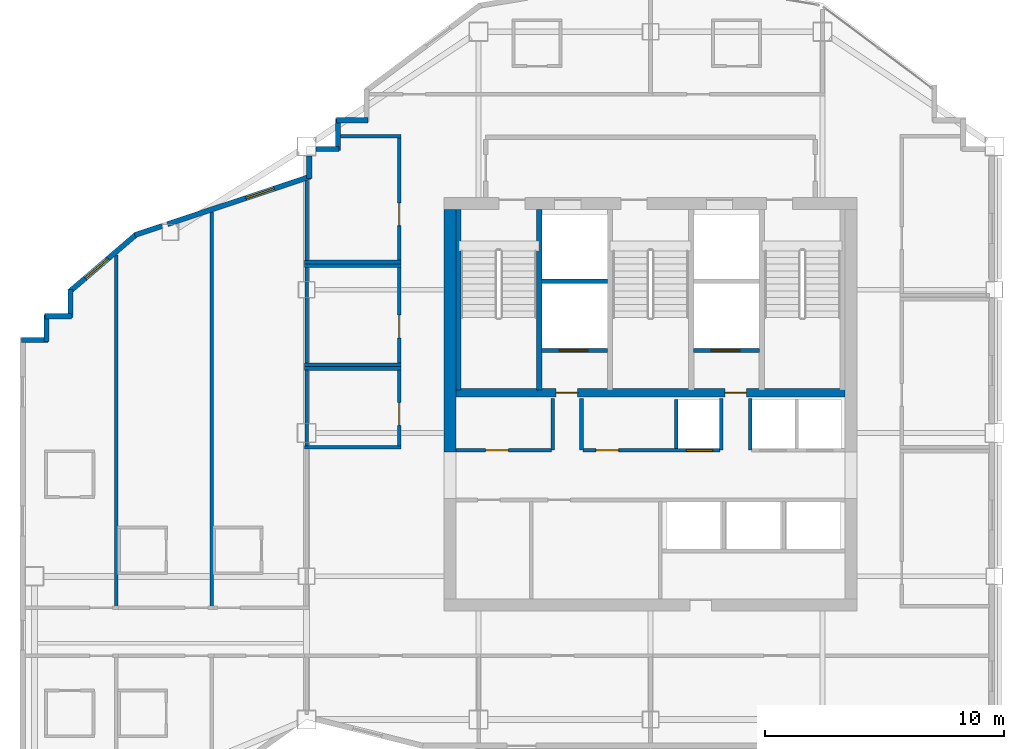
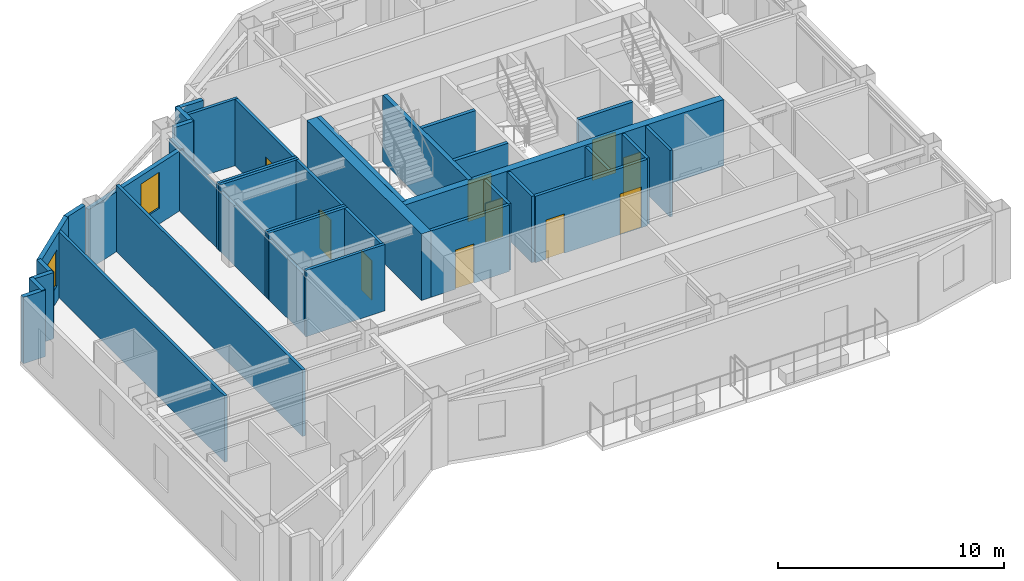
# One storey, part 6 of 9: 39 walls, 10 doors, 2 windows, 12 openings.
"""IFC4 building model written with IfcOpenShell, lengths in metres."""

from ifc_helpers import new_model, si_unit, direction, frame, frame_2d, origin, place, context, subcontext, project, spatial, rectangle, extrude, material, layer, layer_set, type_object, element, fill, save


model = new_model("IFC4")

# Units and contexts
model_context = context("Model", 3, precision=1e-05, world=origin(), true_north=direction((0.0, 1.0)))
body_context = subcontext(model_context, "Body", "Model", "MODEL_VIEW")
ifc_project = project(units=[si_unit("LENGTHUNIT", "METRE"), si_unit("AREAUNIT", "SQUARE_METRE"), si_unit("VOLUMEUNIT", "CUBIC_METRE"), si_unit("PLANEANGLEUNIT", "RADIAN"), si_unit("MASSUNIT", "GRAM", prefix="KILO")], contexts=[model_context])

# Site, building, storey
site_placement = place(None, origin())
site = spatial("IfcSite", under=ifc_project, at=site_placement, CompositionType="ELEMENT")
building_placement = place(site_placement, origin())
building = spatial("IfcBuilding", under=site, at=building_placement, Name="Haolan Belvedere Tower", CompositionType="ELEMENT")
storey_placement = place(building_placement, frame((0.0, 0.0, 273.699951171875)))
storey = spatial("IfcBuildingStorey", under=building, at=storey_placement, Name="L69", CompositionType="ELEMENT", Elevation=273.699951171875)

# Walls
ifc_material_1 = material(Name="Concrete C50/60", Category="concrete")
ifc_layer_1 = layer(ifc_material_1, 0.5, Name="Concrete C50/60")
ifc_layer_set_1 = layer_set([ifc_layer_1], Name="Concrete C50/60")
wall_type_1 = type_object("IfcWallType", Name="WL-CORE-500", PredefinedType="SHEAR", material=ifc_layer_set_1)
wall_1_placement = place(storey_placement, frame((30.0, 32.800048828125, 0.0), z_axis=(0.0, 0.0, 1.0), x_axis=(0.0, 1.0, 0.0)))
element("IfcWall", 1, at=wall_1_placement, inside=storey, type_object=wall_type_1, Name="L69 central core shear wall WN", PredefinedType="SHEAR", context=body_context, shape_type="SweptSolid", body=[
    extrude(rectangle(XDim=10.14990234375, YDim=0.5, at=frame_2d((5.074951171875, 0.0))), origin(), (0.0, 0.0, 1.0), 3.590087890625),
])
ifc_material_2 = material(Name="Precast concrete C40/50", Category="concrete")
ifc_layer_2 = layer(ifc_material_2, 0.219970703125, Name="Precast concrete C40/50")
ifc_layer_set_2 = layer_set([ifc_layer_2], Name="Precast concrete C40/50")
wall_type_2 = type_object("IfcWallType", Name="WL-EXT-220", PredefinedType="SOLIDWALL", material=ifc_layer_set_2)
for number, where, z_axis, x_axis, name in (
    (2, (26.56494140625, 46.68994140625, 0.0), (0.0, 0.0, 1.0), (-1.0, 0.0, 0.0), "L69 pale-metal exterior spandrel wall 13.1"),
    (3, (25.31005859375, 46.7451171875, 0.0), (0.0, 0.0, 1.0), (0.0, -1.0, 0.0), "L69 pale-metal exterior spandrel wall 14.1"),
):
    element("IfcWall", number, at=place(storey_placement, frame(where, z_axis=z_axis, x_axis=x_axis)), inside=storey, type_object=wall_type_2, Name=name, PredefinedType="SOLIDWALL", context=body_context, shape_type="SweptSolid", body=[
        extrude(rectangle(XDim=1.31005859375, YDim=0.219970703125, at=frame_2d((0.655029296875, 0.0))), origin(), (0.0, 0.0, 1.0), 3.590087890625),
    ])
wall_2_placement = place(storey_placement, frame((25.364990234375, 45.489990234375, 0.0), z_axis=(0.0, 0.0, 1.0), x_axis=(-1.0, 0.0, 0.0)))
element("IfcWall", 4, at=wall_2_placement, inside=storey, type_object=wall_type_2, Name="L69 pale-metal exterior spandrel wall 15.1", PredefinedType="SOLIDWALL", context=body_context, shape_type="SweptSolid", body=[
    extrude(rectangle(XDim=0.972900390625, YDim=0.219970703125, at=frame_2d((0.486328125, 0.0))), origin(), (0.0, 0.0, 1.0), 3.590087890625),
])
wall_3_placement = place(storey_placement, frame((24.110107421875, 45.2080078125, 0.0), z_axis=(0.0, 0.0, 1.0), x_axis=(0.0, -1.0, 0.0)))
element("IfcWall", 5, at=wall_3_placement, inside=storey, type_object=wall_type_2, Name="L69 pale-metal exterior spandrel wall 16.1", PredefinedType="SOLIDWALL", context=body_context, shape_type="SweptSolid", body=[
    extrude(rectangle(XDim=0.9423828125, YDim=0.219970703125, at=frame_2d((0.47119140625, 0.0))), origin(), (0.0, 0.0, 1.0), 3.235107421875),
])

# Wall, opening, window
wall_4_placement = place(storey_placement, frame((24.162109375, 44.338134765625, 0.0), z_axis=(0.0, 0.0, 1.0), x_axis=(-0.948687165594, -0.31621616315, 0.0)))
wall_4 = element("IfcWall", 6, at=wall_4_placement, inside=storey, type_object=wall_type_2, Name="L69 pale-metal exterior spandrel wall 17.1", PredefinedType="SOLIDWALL", context=body_context, shape_type="SweptSolid", body=[
    extrude(rectangle(XDim=6.3125, YDim=0.219970703125, at=frame_2d((3.15625, 0.0))), origin(), (0.0, 0.0, 1.0), 3.235107421875),
])
opening_1_placement = place(wall_4_placement, frame((1.60009765625, 0.0, 0.85009765625)))
opening_1 = element("IfcOpeningElement", 7, at=opening_1_placement, cuts=wall_4, Name="Opening W-04", PredefinedType="OPENING", context=body_context, shape_type="SweptSolid", body=[
    extrude(rectangle(XDim=1.25, YDim=1.949951171875, at=frame_2d((0.625, 0.97509765625))), frame((0.0, 0.119873046875, 0.0), z_axis=(0.0, -1.0, 0.0), x_axis=(1.0, 0.0, 0.0)), (0.0, 0.0, 1.0), 0.239990234375),
])
ifc_material_3 = material(Name="Anodised aluminium 6063-T6 and Low-E glass", Category="aluminium")
window_type = type_object("IfcWindowType", Name="WN-DECO-Z4", PartitioningType="SINGLE_PANEL", PredefinedType="WINDOW", material=ifc_material_3)
window_1_placement = place(opening_1_placement, origin())
window_1 = element("IfcWindow", 8, at=window_1_placement, inside=storey, type_object=window_type, Name="L69 Art Deco chevron window 1", OverallHeight=1.949951171875, OverallWidth=1.25, PartitioningType="SINGLE_PANEL", PredefinedType="WINDOW", context=body_context, shape_type="SweptSolid", body=[
    extrude(rectangle(XDim=1.25, YDim=1.949951171875, at=frame_2d((0.625, 0.97509765625))), frame((0.0, 0.030029296875, 0.0), z_axis=(0.0, -1.0, 0.0), x_axis=(1.0, 0.0, 0.0)), (0.0, 0.0, 1.0), 0.06005859375),
])
fill(opening_1, window_1)

# Wall
wall_5_placement = place(storey_placement, frame((17.9580078125, 42.27001953125, 0.0), z_axis=(0.0, 0.0, 1.0), x_axis=(-0.948683298051, -0.316227766017, 0.0)))
element("IfcWall", 9, at=wall_5_placement, inside=storey, type_object=wall_type_2, Name="L69 pale-metal exterior spandrel wall 17.2", PredefinedType="SOLIDWALL", context=body_context, shape_type="SweptSolid", body=[
    extrude(rectangle(XDim=1.217529296875, YDim=0.219970703125, at=frame_2d((0.60888671875, 0.0))), origin(), (0.0, 0.0, 1.0), 3.590087890625),
])

# Wall, opening, window
wall_6_placement = place(storey_placement, frame((16.89697265625, 41.938232421875, 0.0), z_axis=(0.0, 0.0, 1.0), x_axis=(-0.759279729622, -0.650764390686, 0.0)))
wall_6 = element("IfcWall", 10, at=wall_6_placement, inside=storey, type_object=wall_type_2, Name="L69 pale-metal exterior spandrel wall 18.1", PredefinedType="SOLIDWALL", context=body_context, shape_type="SweptSolid", body=[
    extrude(rectangle(XDim=3.725830078125, YDim=0.219970703125, at=frame_2d((1.86279296875, 0.0))), origin(), (0.0, 0.0, 1.0), 3.590087890625),
])
opening_2_placement = place(wall_6_placement, frame((1.60009765625, 0.0, 0.85009765625)))
opening_2 = element("IfcOpeningElement", 11, at=opening_2_placement, cuts=wall_6, Name="Opening W-04", PredefinedType="OPENING", context=body_context, shape_type="SweptSolid", body=[
    extrude(rectangle(XDim=1.25, YDim=1.949951171875, at=frame_2d((0.625, 0.97509765625))), frame((0.0, 0.119873046875, 0.0), z_axis=(0.0, -1.0, 0.0), x_axis=(1.0, 0.0, 0.0)), (0.0, 0.0, 1.0), 0.239990234375),
])
window_2_placement = place(opening_2_placement, origin())
window_2 = element("IfcWindow", 12, at=window_2_placement, inside=storey, type_object=window_type, Name="L69 Art Deco chevron window 1", OverallHeight=1.949951171875, OverallWidth=1.25, PartitioningType="SINGLE_PANEL", PredefinedType="WINDOW", context=body_context, shape_type="SweptSolid", body=[
    extrude(rectangle(XDim=1.25, YDim=1.949951171875, at=frame_2d((0.625, 0.97509765625))), frame((0.0, 0.030029296875, 0.0), z_axis=(0.0, -1.0, 0.0), x_axis=(1.0, 0.0, 0.0)), (0.0, 0.0, 1.0), 0.06005859375),
])
fill(opening_2, window_2)

# Walls
wall_7_placement = place(storey_placement, frame((14.110107421875, 39.6044921875, 0.0), z_axis=(0.0, 0.0, 1.0), x_axis=(0.0, -1.0, 0.0)))
element("IfcWall", 13, at=wall_7_placement, inside=storey, type_object=wall_type_2, Name="L69 pale-metal exterior spandrel wall 19.1", PredefinedType="SOLIDWALL", context=body_context, shape_type="SweptSolid", body=[
    extrude(rectangle(XDim=1.16943359375, YDim=0.219970703125, at=frame_2d((0.584716796875, 0.0))), origin(), (0.0, 0.0, 1.0), 3.590087890625),
])
wall_8_placement = place(storey_placement, frame((14.1650390625, 38.489990234375, 0.0), z_axis=(0.0, 0.0, 1.0), x_axis=(-1.0, 0.0, 0.0)))
element("IfcWall", 14, at=wall_8_placement, inside=storey, type_object=wall_type_2, Name="L69 pale-metal exterior spandrel wall 20.1", PredefinedType="SOLIDWALL", context=body_context, shape_type="SweptSolid", body=[
    extrude(rectangle(XDim=1.110107421875, YDim=0.219970703125, at=frame_2d((0.55517578125, 0.0))), origin(), (0.0, 0.0, 1.0), 3.590087890625),
])
wall_9_placement = place(storey_placement, frame((13.110107421875, 38.544921875, 0.0), z_axis=(0.0, 0.0, 1.0), x_axis=(0.0, -1.0, 0.0)))
element("IfcWall", 15, at=wall_9_placement, inside=storey, type_object=wall_type_2, Name="L69 pale-metal exterior spandrel wall 21.1", PredefinedType="SOLIDWALL", context=body_context, shape_type="SweptSolid", body=[
    extrude(rectangle(XDim=1.10986328125, YDim=0.219970703125, at=frame_2d((0.554931640625, 0.0))), origin(), (0.0, 0.0, 1.0), 3.590087890625),
])
wall_10_placement = place(storey_placement, frame((13.1650390625, 37.489990234375, 0.0), z_axis=(0.0, 0.0, 1.0), x_axis=(-1.0, 0.0, 0.0)))
element("IfcWall", 16, at=wall_10_placement, inside=storey, type_object=wall_type_2, Name="L69 pale-metal exterior spandrel wall 22.1", PredefinedType="SOLIDWALL", context=body_context, shape_type="SweptSolid", body=[
    extrude(rectangle(XDim=1.110107421875, YDim=0.219970703125, at=frame_2d((0.55517578125, 0.0))), origin(), (0.0, 0.0, 1.0), 3.590087890625),
])
ifc_material_4 = material(Name="Double gypsum acoustic stud partition", Category="masonry")
ifc_layer_3 = layer(ifc_material_4, 0.14990234375, Name="Double gypsum acoustic stud partition")
ifc_layer_set_3 = layer_set([ifc_layer_3], Name="Double gypsum acoustic stud partition")
wall_type_3 = type_object("IfcWallType", Name="WL-PART-150", PredefinedType="PARTITIONING", material=ifc_layer_set_3)
for number, where, z_axis, x_axis, name in (
    (17, (23.919921875, 36.300048828125, 0.0), (0.0, 0.0, 1.0), (1.0, 0.0, 0.0), "L69 interior partition IW-L69-AWC-N"),
    (18, (23.919921875, 33.0, 0.0), (0.0, 0.0, 1.0), (1.0, 0.0, 0.0), "L69 interior partition IW-L69-AWC-S"),
):
    element("IfcWall", number, at=place(storey_placement, frame(where, z_axis=z_axis, x_axis=x_axis)), inside=storey, type_object=wall_type_3, Name=name, PredefinedType="PARTITIONING", context=body_context, shape_type="SweptSolid", body=[
        extrude(rectangle(XDim=4.0400390625, YDim=0.14990234375, at=frame_2d((2.02001953125, 0.0))), origin(), (0.0, 0.0, 1.0), 3.590087890625),
    ])
wall_11_placement = place(storey_placement, frame((24.0, 33.06005859375, 0.0), z_axis=(0.0, 0.0, 1.0), x_axis=(0.0, 1.0, 0.0)))
element("IfcWall", 19, at=wall_11_placement, inside=storey, type_object=wall_type_3, Name="L69 interior partition IW-L69-AWC-W", PredefinedType="PARTITIONING", context=body_context, shape_type="SweptSolid", body=[
    extrude(rectangle(XDim=3.179931640625, YDim=0.14990234375, at=frame_2d((1.58984375, 0.0))), origin(), (0.0, 0.0, 1.0), 3.235107421875),
])

# Wall, opening, door
wall_12_placement = place(storey_placement, frame((27.8798828125, 33.06005859375, 0.0), z_axis=(0.0, 0.0, 1.0), x_axis=(0.0, 1.0, 0.0)))
wall_12 = element("IfcWall", 20, at=wall_12_placement, inside=storey, type_object=wall_type_3, Name="L69 interior partition IW-L69-AWC-E", PredefinedType="PARTITIONING", context=body_context, shape_type="SweptSolid", body=[
    extrude(rectangle(XDim=3.179931640625, YDim=0.14990234375, at=frame_2d((1.58984375, 0.0))), origin(), (0.0, 0.0, 1.0), 3.590087890625),
])
opening_3_placement = place(wall_12_placement, frame((1.81005859375, 0.0, 0.0), z_axis=(0.0, 0.0, 1.0), x_axis=(-1.0, 0.0, 0.0)))
opening_3 = element("IfcOpeningElement", 21, at=opening_3_placement, cuts=wall_12, Name="Opening ID-03", PredefinedType="OPENING", context=body_context, shape_type="SweptSolid", body=[
    extrude(rectangle(XDim=0.949951171875, YDim=2.1201171875, at=frame_2d((0.47509765625, 1.06005859375))), frame((0.0, 0.0849609375, 0.0), z_axis=(0.0, -1.0, 0.0), x_axis=(1.0, 0.0, 0.0)), (0.0, 0.0, 1.0), 0.169921875),
])
ifc_material_5 = material(Name="Painted solid-core timber", Category="wood")
door_type_1 = type_object("IfcDoorType", Name="DR-INT-950", OperationType="NOTDEFINED", PredefinedType="DOOR", material=ifc_material_5)
door_1_placement = place(opening_3_placement, origin())
door_1 = element("IfcDoor", 22, at=door_1_placement, inside=storey, type_object=door_type_1, Name="L69 door ID-L69-AWC", OperationType="SINGLE_SWING_LEFT", OverallHeight=2.1201171875, OverallWidth=0.949951171875, PredefinedType="DOOR", context=body_context, shape_type="SweptSolid", body=[
    extrude(rectangle(XDim=0.949951171875, YDim=2.1201171875, at=frame_2d((0.47509765625, 1.06005859375))), frame((0.0, 0.02490234375, 0.0), z_axis=(0.0, -1.0, 0.0), x_axis=(1.0, 0.0, 0.0)), (0.0, 0.0, 1.0), 0.050048828125),
])
fill(opening_3, door_1)

# Walls
for number, where, z_axis, x_axis, name in (
    (23, (23.919921875, 40.60009765625, 0.0), (0.0, 0.0, 1.0), (1.0, 0.0, 0.0), "L69 interior partition IW-L69-PNT-N"),
    (24, (23.919921875, 36.4599609375, 0.0), (0.0, 0.0, 1.0), (1.0, 0.0, 0.0), "L69 interior partition IW-L69-PNT-S"),
):
    element("IfcWall", number, at=place(storey_placement, frame(where, z_axis=z_axis, x_axis=x_axis)), inside=storey, type_object=wall_type_3, Name=name, PredefinedType="PARTITIONING", context=body_context, shape_type="SweptSolid", body=[
        extrude(rectangle(XDim=4.0400390625, YDim=0.14990234375, at=frame_2d((2.02001953125, 0.0))), origin(), (0.0, 0.0, 1.0), 3.590087890625),
    ])
wall_13_placement = place(storey_placement, frame((24.0, 36.52001953125, 0.0), z_axis=(0.0, 0.0, 1.0), x_axis=(0.0, 1.0, 0.0)))
element("IfcWall", 25, at=wall_13_placement, inside=storey, type_object=wall_type_3, Name="L69 interior partition IW-L69-PNT-W", PredefinedType="PARTITIONING", context=body_context, shape_type="SweptSolid", body=[
    extrude(rectangle(XDim=4.02001953125, YDim=0.14990234375, at=frame_2d((2.010009765625, 0.0))), origin(), (0.0, 0.0, 1.0), 3.235107421875),
])

# Wall, opening, door
wall_14_placement = place(storey_placement, frame((27.8798828125, 36.52001953125, 0.0), z_axis=(0.0, 0.0, 1.0), x_axis=(0.0, 1.0, 0.0)))
wall_14 = element("IfcWall", 26, at=wall_14_placement, inside=storey, type_object=wall_type_3, Name="L69 interior partition IW-L69-PNT-E", PredefinedType="PARTITIONING", context=body_context, shape_type="SweptSolid", body=[
    extrude(rectangle(XDim=4.02001953125, YDim=0.14990234375, at=frame_2d((2.010009765625, 0.0))), origin(), (0.0, 0.0, 1.0), 3.590087890625),
])
opening_4_placement = place(wall_14_placement, frame((2.010009765625, 0.0, 0.0), z_axis=(0.0, 0.0, 1.0), x_axis=(-1.0, 0.0, 0.0)))
opening_4 = element("IfcOpeningElement", 27, at=opening_4_placement, cuts=wall_14, Name="Opening ID-03", PredefinedType="OPENING", context=body_context, shape_type="SweptSolid", body=[
    extrude(rectangle(XDim=0.949951171875, YDim=2.1201171875, at=frame_2d((0.47509765625, 1.06005859375))), frame((0.0, 0.0849609375, 0.0), z_axis=(0.0, -1.0, 0.0), x_axis=(1.0, 0.0, 0.0)), (0.0, 0.0, 1.0), 0.169921875),
])
door_2_placement = place(opening_4_placement, origin())
door_2 = element("IfcDoor", 28, at=door_2_placement, inside=storey, type_object=door_type_1, Name="L69 door ID-L69-PNT", OperationType="SINGLE_SWING_RIGHT", OverallHeight=2.1201171875, OverallWidth=0.949951171875, PredefinedType="DOOR", context=body_context, shape_type="SweptSolid", body=[
    extrude(rectangle(XDim=0.949951171875, YDim=2.1201171875, at=frame_2d((0.47509765625, 1.06005859375))), frame((0.0, 0.02490234375, 0.0), z_axis=(0.0, -1.0, 0.0), x_axis=(1.0, 0.0, 0.0)), (0.0, 0.0, 1.0), 0.050048828125),
])
fill(opening_4, door_2)

# Walls
wall_15_placement = place(storey_placement, frame((25.412109375, 46.02001953125, 0.0), z_axis=(0.0, 0.0, 1.0), x_axis=(1.0, 0.0, 0.0)))
element("IfcWall", 29, at=wall_15_placement, inside=storey, type_object=wall_type_3, Name="L69 interior partition IW-L69-STY-N", PredefinedType="PARTITIONING", context=body_context, shape_type="SweptSolid", body=[
    extrude(rectangle(XDim=2.5478515625, YDim=0.14990234375, at=frame_2d((1.27392578125, 0.0))), origin(), (0.0, 0.0, 1.0), 3.590087890625),
])
wall_16_placement = place(storey_placement, frame((23.919921875, 40.760009765625, 0.0), z_axis=(0.0, 0.0, 1.0), x_axis=(1.0, 0.0, 0.0)))
element("IfcWall", 30, at=wall_16_placement, inside=storey, type_object=wall_type_3, Name="L69 interior partition IW-L69-STY-S", PredefinedType="PARTITIONING", context=body_context, shape_type="SweptSolid", body=[
    extrude(rectangle(XDim=4.0400390625, YDim=0.14990234375, at=frame_2d((2.02001953125, 0.0))), origin(), (0.0, 0.0, 1.0), 3.590087890625),
])
wall_17_placement = place(storey_placement, frame((24.0, 40.820068359375, 0.0), z_axis=(0.0, 0.0, 1.0), x_axis=(0.0, 1.0, 0.0)))
element("IfcWall", 31, at=wall_17_placement, inside=storey, type_object=wall_type_3, Name="L69 interior partition IW-L69-STY-W", PredefinedType="PARTITIONING", context=body_context, shape_type="SweptSolid", body=[
    extrude(rectangle(XDim=3.3564453125, YDim=0.14990234375, at=frame_2d((1.67822265625, 0.0))), origin(), (0.0, 0.0, 1.0), 3.235107421875),
])

# Wall, opening, door
wall_18_placement = place(storey_placement, frame((27.8798828125, 40.820068359375, 0.0), z_axis=(0.0, 0.0, 1.0), x_axis=(0.0, 1.0, 0.0)))
wall_18 = element("IfcWall", 32, at=wall_18_placement, inside=storey, type_object=wall_type_3, Name="L69 interior partition IW-L69-STY-E", PredefinedType="PARTITIONING", context=body_context, shape_type="SweptSolid", body=[
    extrude(rectangle(XDim=5.139892578125, YDim=0.14990234375, at=frame_2d((2.56982421875, 0.0))), origin(), (0.0, 0.0, 1.0), 3.590087890625),
])
opening_5_placement = place(wall_18_placement, frame((2.409912109375, 0.0, 0.0), z_axis=(0.0, 0.0, 1.0), x_axis=(-1.0, 0.0, 0.0)))
opening_5 = element("IfcOpeningElement", 33, at=opening_5_placement, cuts=wall_18, Name="Opening ID-03", PredefinedType="OPENING", context=body_context, shape_type="SweptSolid", body=[
    extrude(rectangle(XDim=0.949951171875, YDim=2.1201171875, at=frame_2d((0.47509765625, 1.06005859375))), frame((0.0, 0.0849609375, 0.0), z_axis=(0.0, -1.0, 0.0), x_axis=(1.0, 0.0, 0.0)), (0.0, 0.0, 1.0), 0.169921875),
])
door_3_placement = place(opening_5_placement, origin())
door_3 = element("IfcDoor", 34, at=door_3_placement, inside=storey, type_object=door_type_1, Name="L69 door ID-L69-STY", OperationType="SINGLE_SWING_LEFT", OverallHeight=2.1201171875, OverallWidth=0.949951171875, PredefinedType="DOOR", context=body_context, shape_type="SweptSolid", body=[
    extrude(rectangle(XDim=0.949951171875, YDim=2.1201171875, at=frame_2d((0.47509765625, 1.06005859375))), frame((0.0, 0.02490234375, 0.0), z_axis=(0.0, -1.0, 0.0), x_axis=(1.0, 0.0, 0.0)), (0.0, 0.0, 1.0), 0.050048828125),
])
fill(opening_5, door_3)

# Walls
wall_19_placement = place(storey_placement, frame((16.030029296875, 26.340087890625, 0.0), z_axis=(0.0, 0.0, 1.0), x_axis=(0.0, 1.0, 0.0)))
element("IfcWall", 35, at=wall_19_placement, inside=storey, type_object=wall_type_3, Name="L69 interior partition IW-L69-T2N1-E", PredefinedType="PARTITIONING", context=body_context, shape_type="SweptSolid", body=[
    extrude(rectangle(XDim=14.720703125, YDim=0.14990234375, at=frame_2d((7.3603515625, 0.0))), origin(), (0.0, 0.0, 1.0), 3.590087890625),
])
wall_20_placement = place(storey_placement, frame((20.02001953125, 26.340087890625, 0.0), z_axis=(0.0, 0.0, 1.0), x_axis=(0.0, 1.0, 0.0)))
element("IfcWall", 36, at=wall_20_placement, inside=storey, type_object=wall_type_3, Name="L69 interior partition IW-L69-T2N2-E", PredefinedType="PARTITIONING", context=body_context, shape_type="SweptSolid", body=[
    extrude(rectangle(XDim=16.509765625, YDim=0.14990234375, at=frame_2d((8.2548828125, 0.0))), origin(), (0.0, 0.0, 1.0), 3.590087890625),
])
ifc_material_6 = material(Name="Gypsum fire shaftwall assembly", Category="masonry")
ifc_layer_4 = layer(ifc_material_6, 0.1650390625, Name="Gypsum fire shaftwall assembly")
ifc_layer_set_4 = layer_set([ifc_layer_4], Name="Gypsum fire shaftwall assembly")
wall_type_4 = type_object("IfcWallType", Name="WL-SHAFT-160", PredefinedType="SOLIDWALL", material=ifc_layer_set_4)
for number, where, z_axis, x_axis, name in (
    (37, (34.31005859375, 32.8798828125, 0.0), (0.0, 0.0, 1.0), (0.0, 1.0, 0.0), "L69 interior partition IW-L69-SVP-W-SV1"),
    (38, (35.510009765625, 32.8798828125, 0.0), (0.0, 0.0, 1.0), (0.0, 1.0, 0.0), "L69 interior partition IW-L69-SVP-E-SV1"),
    (39, (41.3701171875, 32.8798828125, 0.0), (0.0, 0.0, 1.0), (0.0, 1.0, 0.0), "L69 interior partition IW-L69-SVP-W-SV2"),
    (40, (42.570068359375, 32.8798828125, 0.0), (0.0, 0.0, 1.0), (0.0, 1.0, 0.0), "L69 interior partition IW-L69-SVP-E-SV2"),
):
    element("IfcWall", number, at=place(storey_placement, frame(where, z_axis=z_axis, x_axis=x_axis)), inside=storey, type_object=wall_type_4, Name=name, PredefinedType="SOLIDWALL", context=body_context, shape_type="SweptSolid", body=[
        extrude(rectangle(XDim=2.170166015625, YDim=0.14990234375, at=frame_2d((1.0849609375, 0.0))), origin(), (0.0, 0.0, 1.0), 3.590087890625),
    ])

# Wall, opening, door
wall_21_placement = place(storey_placement, frame((30.25, 32.8798828125, 0.0), z_axis=(0.0, 0.0, 1.0), x_axis=(1.0, 0.0, 0.0)))
wall_21 = element("IfcWall", 41, at=wall_21_placement, inside=storey, type_object=wall_type_4, Name="L69 interior partition IW-L69-ROW-PN1", PredefinedType="SOLIDWALL", context=body_context, shape_type="SweptSolid", body=[
    extrude(rectangle(XDim=4.0, YDim=0.159912109375, at=frame_2d((2.0, 0.0))), origin(), (0.0, 0.0, 1.0), 3.590087890625),
])
opening_6_placement = place(wall_21_placement, frame((2.199951171875, 0.0, 0.0), z_axis=(0.0, 0.0, 1.0), x_axis=(-1.0, 0.0, 0.0)))
opening_6 = element("IfcOpeningElement", 42, at=opening_6_placement, cuts=wall_21, Name="Opening ID-03", PredefinedType="OPENING", context=body_context, shape_type="SweptSolid", body=[
    extrude(rectangle(XDim=0.949951171875, YDim=2.1201171875, at=frame_2d((0.47509765625, 1.06005859375))), frame((0.0, 0.08984375, 0.0), z_axis=(0.0, -1.0, 0.0), x_axis=(1.0, 0.0, 0.0)), (0.0, 0.0, 1.0), 0.179931640625),
])
door_4_placement = place(opening_6_placement, origin())
door_4 = element("IfcDoor", 43, at=door_4_placement, inside=storey, type_object=door_type_1, Name="L69 door ID-L69-CD-RPLW", OperationType="SINGLE_SWING_LEFT", OverallHeight=2.1201171875, OverallWidth=0.949951171875, PredefinedType="DOOR", context=body_context, shape_type="SweptSolid", body=[
    extrude(rectangle(XDim=0.949951171875, YDim=2.1201171875, at=frame_2d((0.47509765625, 1.06005859375))), frame((0.0, 0.02490234375, 0.0), z_axis=(0.0, -1.0, 0.0), x_axis=(1.0, 0.0, 0.0)), (0.0, 0.0, 1.0), 0.050048828125),
])
fill(opening_6, door_4)

# Wall, openings, doors
wall_22_placement = place(storey_placement, frame((35.570068359375, 32.8798828125, 0.0), z_axis=(0.0, 0.0, 1.0), x_axis=(1.0, 0.0, 0.0)))
wall_22 = element("IfcWall", 44, at=wall_22_placement, inside=storey, type_object=wall_type_4, Name="L69 interior partition IW-L69-ROW-PN2", PredefinedType="SOLIDWALL", context=body_context, shape_type="SweptSolid", body=[
    extrude(rectangle(XDim=5.739990234375, YDim=0.159912109375, at=frame_2d((2.8701171875, 0.0))), origin(), (0.0, 0.0, 1.0), 3.590087890625),
])
opening_7_placement = place(wall_22_placement, frame((1.489990234375, 0.0, 0.0), z_axis=(0.0, 0.0, 1.0), x_axis=(-1.0, 0.0, 0.0)))
opening_7 = element("IfcOpeningElement", 45, at=opening_7_placement, cuts=wall_22, Name="Opening ID-03", PredefinedType="OPENING", context=body_context, shape_type="SweptSolid", body=[
    extrude(rectangle(XDim=0.949951171875, YDim=2.1201171875, at=frame_2d((0.47509765625, 1.06005859375))), frame((0.0, 0.08984375, 0.0), z_axis=(0.0, -1.0, 0.0), x_axis=(1.0, 0.0, 0.0)), (0.0, 0.0, 1.0), 0.179931640625),
])
opening_8_placement = place(wall_22_placement, frame((5.43017578125, 0.0, 0.0), z_axis=(0.0, 0.0, 1.0), x_axis=(-1.0, 0.0, 0.0)))
opening_8 = element("IfcOpeningElement", 46, at=opening_8_placement, cuts=wall_22, Name="Opening LD-01", PredefinedType="OPENING", context=body_context, shape_type="SweptSolid", body=[
    extrude(rectangle(XDim=1.10009765625, YDim=2.199951171875, at=frame_2d((0.550048828125, 1.10009765625))), frame((0.0, 0.08984375, 0.0), z_axis=(0.0, -1.0, 0.0), x_axis=(1.0, 0.0, 0.0)), (0.0, 0.0, 1.0), 0.179931640625),
])
door_5_placement = place(opening_7_placement, origin())
door_5 = element("IfcDoor", 47, at=door_5_placement, inside=storey, type_object=door_type_1, Name="L69 door ID-L69-CD-RPLE", OperationType="SINGLE_SWING_RIGHT", OverallHeight=2.1201171875, OverallWidth=0.949951171875, PredefinedType="DOOR", context=body_context, shape_type="SweptSolid", body=[
    extrude(rectangle(XDim=0.949951171875, YDim=2.1201171875, at=frame_2d((0.47509765625, 1.06005859375))), frame((0.0, 0.02490234375, 0.0), z_axis=(0.0, -1.0, 0.0), x_axis=(1.0, 0.0, 0.0)), (0.0, 0.0, 1.0), 0.050048828125),
])
fill(opening_7, door_5)
ifc_material_7 = material(Name="Brushed champagne stainless steel 316L", Category="steel")
door_type_2 = type_object("IfcDoorType", Name="DR-LIFT-1100", OperationType="SLIDING_TO_LEFT", PredefinedType="DOOR", material=ifc_material_7)
door_6_placement = place(opening_8_placement, origin())
door_6 = element("IfcDoor", 48, at=door_6_placement, inside=storey, type_object=door_type_2, Name="L69 door ID-L69-LD-PH1", OperationType="SLIDING_TO_RIGHT", OverallHeight=2.199951171875, OverallWidth=1.10009765625, PredefinedType="DOOR", context=body_context, shape_type="SweptSolid", body=[
    extrude(rectangle(XDim=1.10009765625, YDim=2.199951171875, at=frame_2d((0.550048828125, 1.10009765625))), frame((0.0, 0.02490234375, 0.0), z_axis=(0.0, -1.0, 0.0), x_axis=(1.0, 0.0, 0.0)), (0.0, 0.0, 1.0), 0.050048828125),
])
fill(opening_8, door_6)

# Walls
wall_23_placement = place(storey_placement, frame((39.469970703125, 32.949951171875, 0.0), z_axis=(0.0, 0.0, 1.0), x_axis=(0.0, 1.0, 0.0)))
element("IfcWall", 49, at=wall_23_placement, inside=storey, type_object=wall_type_4, Name="L69 interior partition IW-L69-DIV-PL4R", PredefinedType="SOLIDWALL", context=body_context, shape_type="SweptSolid", body=[
    extrude(rectangle(XDim=2.050048828125, YDim=0.14990234375, at=frame_2d((1.02490234375, 0.0))), origin(), (0.0, 0.0, 1.0), 3.590087890625),
])
ifc_layer_5 = layer(ifc_material_2, 0.179931640625, Name="Precast concrete C40/50")
ifc_layer_set_5 = layer_set([ifc_layer_5], Name="Precast concrete C40/50")
wall_type_5 = type_object("IfcWallType", Name="WL-SHAFT-180", PredefinedType="SOLIDWALL", material=ifc_layer_set_5)
wall_24_placement = place(storey_placement, frame((33.8349609375, 39.949951171875, 0.0), z_axis=(0.0, 0.0, 1.0), x_axis=(1.0, 0.0, 0.0)))
element("IfcWall", 50, at=wall_24_placement, inside=storey, type_object=wall_type_5, Name="L69 interior partition IW-L69-FF1-S", PredefinedType="SOLIDWALL", context=body_context, shape_type="SweptSolid", body=[
    extrude(rectangle(XDim=2.77001953125, YDim=0.179931640625, at=frame_2d((1.385009765625, 0.0))), origin(), (0.0, 0.0, 1.0), 3.590087890625),
])

# Wall, opening, door
wall_25_placement = place(storey_placement, frame((33.8349609375, 37.050048828125, 0.0), z_axis=(0.0, 0.0, 1.0), x_axis=(1.0, 0.0, 0.0)))
wall_25 = element("IfcWall", 51, at=wall_25_placement, inside=storey, type_object=wall_type_5, Name="L69 interior partition IW-L69-SV1-S", PredefinedType="SOLIDWALL", context=body_context, shape_type="SweptSolid", body=[
    extrude(rectangle(XDim=2.77001953125, YDim=0.179931640625, at=frame_2d((1.385009765625, 0.0))), origin(), (0.0, 0.0, 1.0), 3.590087890625),
])
opening_9_placement = place(wall_25_placement, frame((1.945068359375, 0.0, 0.0), z_axis=(0.0, 0.0, 1.0), x_axis=(-1.0, 0.0, 0.0)))
opening_9 = element("IfcOpeningElement", 52, at=opening_9_placement, cuts=wall_25, Name="Opening LD-02", PredefinedType="OPENING", context=body_context, shape_type="SweptSolid", body=[
    extrude(rectangle(XDim=1.199951171875, YDim=2.199951171875, at=frame_2d((0.60009765625, 1.10009765625))), frame((0.0, 0.099853515625, 0.0), z_axis=(0.0, -1.0, 0.0), x_axis=(1.0, 0.0, 0.0)), (0.0, 0.0, 1.0), 0.199951171875),
])
door_type_3 = type_object("IfcDoorType", Name="DR-LIFT-1200", OperationType="SLIDING_TO_RIGHT", PredefinedType="DOOR", material=ifc_material_7)
door_7_placement = place(opening_9_placement, origin())
door_7 = element("IfcDoor", 53, at=door_7_placement, inside=storey, type_object=door_type_3, Name="L69 door ID-L69-LD-SV1", OperationType="SLIDING_TO_RIGHT", OverallHeight=2.199951171875, OverallWidth=1.199951171875, PredefinedType="DOOR", context=body_context, shape_type="SweptSolid", body=[
    extrude(rectangle(XDim=1.199951171875, YDim=2.199951171875, at=frame_2d((0.60009765625, 1.10009765625))), frame((0.0, 0.02490234375, 0.0), z_axis=(0.0, -1.0, 0.0), x_axis=(1.0, 0.0, 0.0)), (0.0, 0.0, 1.0), 0.050048828125),
])
fill(opening_9, door_7)

wall_26_placement = place(storey_placement, frame((40.195068359375, 37.050048828125, 0.0), z_axis=(0.0, 0.0, 1.0), x_axis=(1.0, 0.0, 0.0)))
wall_26 = element("IfcWall", 54, at=wall_26_placement, inside=storey, type_object=wall_type_5, Name="L69 interior partition IW-L69-SV2-S", PredefinedType="SOLIDWALL", context=body_context, shape_type="SweptSolid", body=[
    extrude(rectangle(XDim=2.77001953125, YDim=0.179931640625, at=frame_2d((1.385009765625, 0.0))), origin(), (0.0, 0.0, 1.0), 3.590087890625),
])
opening_10_placement = place(wall_26_placement, frame((1.945068359375, 0.0, 0.0), z_axis=(0.0, 0.0, 1.0), x_axis=(-1.0, 0.0, 0.0)))
opening_10 = element("IfcOpeningElement", 55, at=opening_10_placement, cuts=wall_26, Name="Opening LD-02", PredefinedType="OPENING", context=body_context, shape_type="SweptSolid", body=[
    extrude(rectangle(XDim=1.199951171875, YDim=2.199951171875, at=frame_2d((0.60009765625, 1.10009765625))), frame((0.0, 0.099853515625, 0.0), z_axis=(0.0, -1.0, 0.0), x_axis=(1.0, 0.0, 0.0)), (0.0, 0.0, 1.0), 0.199951171875),
])
door_8_placement = place(opening_10_placement, origin())
door_8 = element("IfcDoor", 56, at=door_8_placement, inside=storey, type_object=door_type_3, Name="L69 door ID-L69-LD-SV2", OperationType="SLIDING_TO_RIGHT", OverallHeight=2.199951171875, OverallWidth=1.199951171875, PredefinedType="DOOR", context=body_context, shape_type="SweptSolid", body=[
    extrude(rectangle(XDim=1.199951171875, YDim=2.199951171875, at=frame_2d((0.60009765625, 1.10009765625))), frame((0.0, 0.02490234375, 0.0), z_axis=(0.0, -1.0, 0.0), x_axis=(1.0, 0.0, 0.0)), (0.0, 0.0, 1.0), 0.050048828125),
])
fill(opening_10, door_8)

# Walls
ifc_layer_6 = layer(ifc_material_1, 0.219970703125, Name="Concrete C50/60")
ifc_layer_set_6 = layer_set([ifc_layer_6], Name="Concrete C50/60")
wall_type_6 = type_object("IfcWallType", Name="WL-STAIR-220", PredefinedType="SHEAR", material=ifc_layer_set_6)
for number, where, z_axis, x_axis, name in (
    (57, (30.362060546875, 35.389892578125, 0.0), (0.0, 0.0, 1.0), (0.0, 1.0, 0.0), "L69 structural stair core wall ST1W"),
    (58, (33.739990234375, 35.389892578125, 0.0), (0.0, 0.0, 1.0), (0.0, 1.0, 0.0), "L69 structural stair core wall ST1E"),
):
    element("IfcWall", number, at=place(storey_placement, frame(where, z_axis=z_axis, x_axis=x_axis)), inside=storey, type_object=wall_type_6, Name=name, PredefinedType="SHEAR", context=body_context, shape_type="SweptSolid", body=[
        extrude(rectangle(XDim=7.56005859375, YDim=0.219970703125, at=frame_2d((3.780029296875, 0.0))), origin(), (0.0, 0.0, 1.0), 3.590087890625),
    ])

# Wall, openings, doors
ifc_material_8 = material(Name="Concrete C60/75", Category="concrete")
ifc_layer_7 = layer(ifc_material_8, 0.360107421875, Name="Concrete C60/75")
ifc_layer_set_7 = layer_set([ifc_layer_7], Name="Concrete C60/75")
wall_type_7 = type_object("IfcWallType", Name="WL-WEB-350", PredefinedType="SHEAR", material=ifc_layer_set_7)
wall_27_placement = place(storey_placement, frame((30.25, 35.2900390625, 0.0), z_axis=(0.0, 0.0, 1.0), x_axis=(1.0, 0.0, 0.0)))
wall_27 = element("IfcWall", 59, at=wall_27_placement, inside=storey, type_object=wall_type_7, Name="L69 central core internal shear web", PredefinedType="SHEAR", context=body_context, shape_type="SweptSolid", body=[
    extrude(rectangle(XDim=16.300048828125, YDim=0.360107421875, at=frame_2d((8.14990234375, 0.0))), origin(), (0.0, 0.0, 1.0), 3.590087890625),
])
opening_11_placement = place(wall_27_placement, frame((5.099853515625, 0.0, 0.0), z_axis=(0.0, 0.0, 1.0), x_axis=(-1.0, 0.0, 0.0)))
opening_11 = element("IfcOpeningElement", 60, at=opening_11_placement, cuts=wall_27, Name="Opening FD-05", PredefinedType="OPENING", context=body_context, shape_type="SweptSolid", body=[
    extrude(rectangle(XDim=0.89990234375, YDim=2.10009765625, at=frame_2d((0.449951171875, 1.050048828125))), frame((0.0, 0.18994140625, 0.0), z_axis=(0.0, -1.0, 0.0), x_axis=(1.0, 0.0, 0.0)), (0.0, 0.0, 1.0), 0.380126953125),
])
opening_12_placement = place(wall_27_placement, frame((12.159912109375, 0.0, 0.0), z_axis=(0.0, 0.0, 1.0), x_axis=(-1.0, 0.0, 0.0)))
opening_12 = element("IfcOpeningElement", 61, at=opening_12_placement, cuts=wall_27, Name="Opening FD-05", PredefinedType="OPENING", context=body_context, shape_type="SweptSolid", body=[
    extrude(rectangle(XDim=0.89990234375, YDim=2.10009765625, at=frame_2d((0.449951171875, 1.050048828125))), frame((0.0, 0.18994140625, 0.0), z_axis=(0.0, -1.0, 0.0), x_axis=(1.0, 0.0, 0.0)), (0.0, 0.0, 1.0), 0.380126953125),
])
ifc_material_9 = material(Name="Galvanised fire-rated steel", Category="steel")
door_type_4 = type_object("IfcDoorType", Name="DR-FD60-900", OperationType="NOTDEFINED", PredefinedType="DOOR", material=ifc_material_9)
door_9_placement = place(opening_11_placement, origin())
door_9 = element("IfcDoor", 62, at=door_9_placement, inside=storey, type_object=door_type_4, Name="L69 door CD-L69-SVL-SV1", OperationType="SINGLE_SWING_RIGHT", OverallHeight=2.10009765625, OverallWidth=0.89990234375, PredefinedType="DOOR", context=body_context, shape_type="SweptSolid", body=[
    extrude(rectangle(XDim=0.89990234375, YDim=2.10009765625, at=frame_2d((0.449951171875, 1.050048828125))), frame((0.0, 0.02490234375, 0.0), z_axis=(0.0, -1.0, 0.0), x_axis=(1.0, 0.0, 0.0)), (0.0, 0.0, 1.0), 0.050048828125),
])
fill(opening_11, door_9)
door_10_placement = place(opening_12_placement, origin())
door_10 = element("IfcDoor", 63, at=door_10_placement, inside=storey, type_object=door_type_4, Name="L69 door CD-L69-SVL-SV2", OperationType="SINGLE_SWING_RIGHT", OverallHeight=2.10009765625, OverallWidth=0.89990234375, PredefinedType="DOOR", context=body_context, shape_type="SweptSolid", body=[
    extrude(rectangle(XDim=0.89990234375, YDim=2.10009765625, at=frame_2d((0.449951171875, 1.050048828125))), frame((0.0, 0.02490234375, 0.0), z_axis=(0.0, -1.0, 0.0), x_axis=(1.0, 0.0, 0.0)), (0.0, 0.0, 1.0), 0.050048828125),
])
fill(opening_12, door_10)

save(model, "model.ifc")
